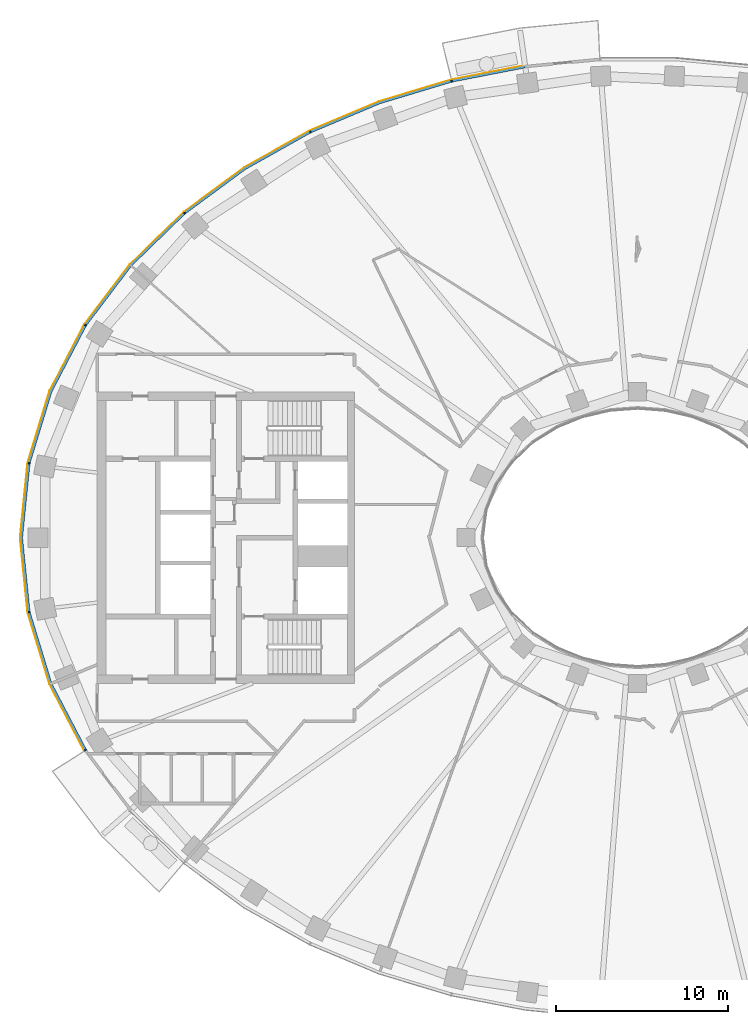
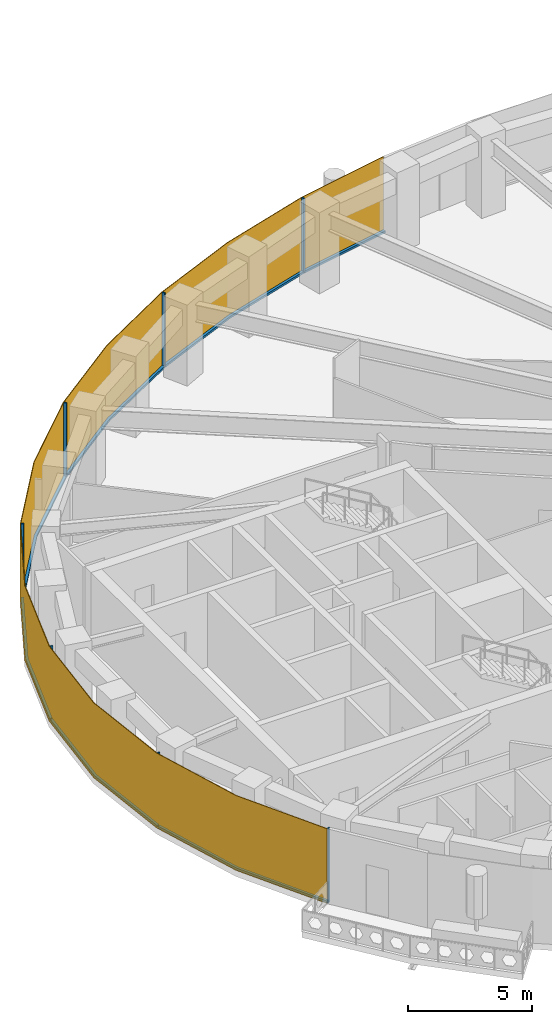
# One storey, part 11 of 16: 14 members, 1 curtain wall.
"""IFC4 building model written with IfcOpenShell, lengths in metres."""

import ifcopenshell
import ifcopenshell.guid

model = None  # the IFC model being written
_history = None  # IfcOwnerHistory: only IFC2X3 demands one
_inside = {}  # id of a spatial element -> (the spatial element, [elements in it])
_under = {}  # id of a project, library or spatial element -> (it, [spatial elements below it])
_declared = {}  # id of a project -> (the project, [libraries it declares])
_typed = {}  # id of a type object -> (the type object, [elements of that type])
_made_of = {}  # id of a material, layer set ... -> (it, [elements and type objects made of it])


def new_model(schema):
    """Start an empty IFC model of exactly this schema.

    Asked for "IFC4X3", IfcOpenShell would pick the latest addendum, in which some entities
    have other attributes; the version numbers below select the first issue.
    IFC2X3 requires an IfcOwnerHistory on every rooted entity: one is made here for all.
    """
    global model, _history
    if schema == "IFC4X3":
        model = ifcopenshell.file(schema_version=(4, 3, 0, 0))
    else:
        model = ifcopenshell.file(schema=schema)
    _inside.clear()
    _under.clear()
    _declared.clear()
    _typed.clear()
    _made_of.clear()
    _history = None
    if model.schema == "IFC2X3":
        org = make("IfcOrganization", Name="unknown")
        user = make(
            "IfcPersonAndOrganization",
            ThePerson=make("IfcPerson", FamilyName="unknown"),
            TheOrganization=org,
        )
        app = make(
            "IfcApplication",
            ApplicationDeveloper=org,
            Version="unknown",
            ApplicationFullName="unknown",
            ApplicationIdentifier="unknown",
        )
        _history = make(
            "IfcOwnerHistory",
            OwningUser=user,
            OwningApplication=app,
            ChangeAction="ADDED",
            CreationDate=0,
        )
    return model


def make(cls, **values):
    """One entity of the class cls with the attributes given. An attribute that is None is left unset."""
    return model.create_entity(
        cls, **{name: value for name, value in values.items() if value is not None}
    )


def rooted(cls, **values):
    """An entity with a GlobalId (a new one), such as an element, a storey or a relation."""
    return make(cls, GlobalId=ifcopenshell.guid.new(), OwnerHistory=_history, **values)


def si_unit(unit_type, name, prefix=None):
    """IfcSIUnit, for example si_unit("LENGTHUNIT", "METRE", prefix="MILLI")."""
    return make("IfcSIUnit", UnitType=unit_type, Prefix=prefix, Name=name)


def assignment(units):
    """IfcUnitAssignment: the units of a project."""
    return None if units is None else make("IfcUnitAssignment", Units=units)


def point(xyz):
    """IfcCartesianPoint."""
    return None if xyz is None else make("IfcCartesianPoint", Coordinates=xyz)


def direction(xyz):
    """IfcDirection."""
    return None if xyz is None else make("IfcDirection", DirectionRatios=xyz)


def frame(location, z_axis=None, x_axis=None):
    """IfcAxis2Placement3D, a coordinate frame: its origin and axes. An axis left out is left unset."""
    return make(
        "IfcAxis2Placement3D",
        Location=point(location),
        Axis=direction(z_axis),
        RefDirection=direction(x_axis),
    )


def frame_2d(location, x_axis=None):
    """IfcAxis2Placement2D, a coordinate frame in the plane: its origin and x axis."""
    return make(
        "IfcAxis2Placement2D", Location=point(location), RefDirection=direction(x_axis)
    )


def origin():
    """The frame at (0, 0, 0) with its axes left unset."""
    return frame((0.0, 0.0, 0.0))


def origin_2d():
    """The frame at (0, 0) in the plane with its x axis left unset."""
    return frame_2d((0.0, 0.0))


def place(relative_to, where):
    """IfcLocalPlacement: puts the frame where relative to a parent placement (None: the world)."""
    return make(
        "IfcLocalPlacement", PlacementRelTo=relative_to, RelativePlacement=where
    )


def context(
    kind, dimensions, precision=None, world=None, true_north=None, identifier=None
):
    """IfcGeometricRepresentationContext, for example the 3D "Model" context."""
    return make(
        "IfcGeometricRepresentationContext",
        ContextIdentifier=identifier,
        ContextType=kind,
        CoordinateSpaceDimension=dimensions,
        Precision=precision,
        WorldCoordinateSystem=world,
        TrueNorth=true_north,
    )


def subcontext(parent, identifier, kind, view, scale=None):
    """IfcGeometricRepresentationSubContext, for example "Body" below "Model"."""
    return make(
        "IfcGeometricRepresentationSubContext",
        ContextIdentifier=identifier,
        ContextType=kind,
        ParentContext=parent,
        TargetScale=scale,
        TargetView=view,
    )


def project(units=None, contexts=None):
    """IfcProject with its units and contexts."""
    return rooted(
        "IfcProject",
        Name="project",
        RepresentationContexts=contexts,
        UnitsInContext=assignment(units),
    )


def spatial(cls, under=None, at=None, **own):
    """A site, building, storey or space (cls), placed at a placement, below another one or the project."""
    s = rooted(cls, ObjectPlacement=at, **own)
    if under is not None:
        _under.setdefault(under.id(), (under, []))[1].append(s)
    return s


def polyline(points):
    """IfcPolyline through the points."""
    return make("IfcPolyline", Points=[point(p) for p in points])


def profile(cls, at=None, kind="AREA", **sizes):
    """A parametric profile (cls). Its sizes go by their IFC names, for example OverallWidth=200.0."""
    return make(cls, ProfileType=kind, Position=at, **sizes)


def rectangle(**sizes):
    """IfcRectangleProfileDef."""
    return profile("IfcRectangleProfileDef", **sizes)


def outline(outer, holes=None, kind="AREA"):
    """IfcArbitraryClosedProfileDef: a profile drawn as a closed curve; with holes, ...WithVoids."""
    if holes is None:
        return make("IfcArbitraryClosedProfileDef", ProfileType=kind, OuterCurve=outer)
    return make(
        "IfcArbitraryProfileDefWithVoids",
        ProfileType=kind,
        OuterCurve=outer,
        InnerCurves=holes,
    )


def extrude(swept, where, along, depth):
    """IfcExtrudedAreaSolid: the profile swept, set in the frame where, extruded along a direction by depth."""
    return make(
        "IfcExtrudedAreaSolid",
        SweptArea=swept,
        Position=where,
        ExtrudedDirection=direction(along),
        Depth=depth,
    )


def shape(context_of_items, identifier, shape_type, items):
    """IfcShapeRepresentation: the items that make up one representation, for example the "Body"."""
    return make(
        "IfcShapeRepresentation",
        ContextOfItems=context_of_items,
        RepresentationIdentifier=identifier,
        RepresentationType=shape_type,
        Items=items,
    )


def material(Name=None, Category=None):
    """IfcMaterial."""
    return make("IfcMaterial", Name=Name, Category=Category)


def layer(
    of_material, thickness, ventilated=None, Name=None, Category=None, Priority=None
):
    """IfcMaterialLayer: one layer of a wall or slab, of a material (None: an air gap)."""
    return make(
        "IfcMaterialLayer",
        Material=of_material,
        LayerThickness=thickness,
        IsVentilated=ventilated,
        Name=Name,
        Category=Category,
        Priority=Priority,
    )


def layer_set(layers, Name=None):
    """IfcMaterialLayerSet."""
    return make("IfcMaterialLayerSet", MaterialLayers=layers, LayerSetName=Name)


def material_profile(
    of_material, cross_section, Name=None, Category=None, Priority=None
):
    """IfcMaterialProfile: a cross section and its material."""
    return make(
        "IfcMaterialProfile",
        Name=Name,
        Material=of_material,
        Profile=cross_section,
        Priority=Priority,
        Category=Category,
    )


def profile_set(profiles, Name=None, composite=None):
    """IfcMaterialProfileSet."""
    return make(
        "IfcMaterialProfileSet",
        Name=Name,
        MaterialProfiles=profiles,
        CompositeProfile=composite,
    )


def made_of(thing, what):
    """Note that an element or type object is made of a material, layer set ...; save() writes the relation."""
    if what is not None:
        _made_of.setdefault(what.id(), (what, []))[1].append(thing)
    return thing


def type_object(cls, material=None, **own):
    """A type object (cls), such as IfcWallType, which elements share."""
    return made_of(rooted(cls, **own), material)


def element(
    cls,
    number,
    at=None,
    inside=None,
    cuts=None,
    type_object=None,
    material=None,
    context=None,
    identifier="Body",
    shape_type=None,
    held_by="IfcProductDefinitionShape",
    body=None,
    shapes=None,
    **own,
):
    """One element of the class cls, such as IfcWall. Its Tag is "e" and its number.

    at: its placement. inside: the storey or other place that contains it. cuts: it is an
    opening in that element (IfcRelVoidsElement). A single representation is given by context,
    identifier, shape_type and body (its items); several are given by shapes. held_by: the class
    of the entity that holds the representations. save() writes the other relations.
    """
    e = rooted(cls, Tag="e%d" % number, ObjectPlacement=at, **own)
    if body is not None:
        shapes = [shape(context, identifier, shape_type, body)]
    if shapes is not None:
        e.Representation = make(held_by, Representations=shapes)
    if inside is not None:
        _inside.setdefault(inside.id(), (inside, []))[1].append(e)
    if cuts is not None:
        rooted(
            "IfcRelVoidsElement", RelatingBuildingElement=cuts, RelatedOpeningElement=e
        )
    if type_object is not None:
        _typed.setdefault(type_object.id(), (type_object, []))[1].append(e)
    return made_of(e, material)


def aggregate(whole, parts):
    """IfcRelAggregates: a whole, such as a stair, and the parts it consists of."""
    return rooted("IfcRelAggregates", RelatingObject=whole, RelatedObjects=parts)


def save(model, path):
    """Write the relations noted so far, then the file.

    IfcRelAggregates (storeys below a building ...), IfcRelContainedInSpatialStructure (elements
    in a storey), IfcRelDefinesByType, IfcRelAssociatesMaterial and IfcRelDeclares: one each for
    every whole, place, type object, material and project.
    """
    for whole, parts in _under.values():
        aggregate(whole, parts)
    for where, things in _inside.values():
        rooted(
            "IfcRelContainedInSpatialStructure",
            RelatedElements=things,
            RelatingStructure=where,
        )
    for kind, things in _typed.values():
        rooted("IfcRelDefinesByType", RelatedObjects=things, RelatingType=kind)
    for what, things in _made_of.values():
        rooted("IfcRelAssociatesMaterial", RelatedObjects=things, RelatingMaterial=what)
    for by, libraries in _declared.values():
        rooted("IfcRelDeclares", RelatingContext=by, RelatedDefinitions=libraries)
    model.write(path)


model = new_model("IFC4")

# Units and contexts
model_context = context("Model", 3, precision=1e-05, world=origin(), true_north=direction((0.0, 1.0)))
body_context = subcontext(model_context, "Body", "Model", "MODEL_VIEW")
ifc_project = project(units=[si_unit("LENGTHUNIT", "METRE"), si_unit("AREAUNIT", "SQUARE_METRE"), si_unit("VOLUMEUNIT", "CUBIC_METRE"), si_unit("PLANEANGLEUNIT", "RADIAN"), si_unit("MASSUNIT", "GRAM", prefix="KILO")], contexts=[model_context])

# Member
ifc_material_1 = material(Name="Aluminium 6063-T6 black anodised", Category="aluminium")
ifc_material_profile = material_profile(ifc_material_1, rectangle(XDim=0.1201171875, YDim=0.06005859375, at=origin_2d()), Name="120x60")
ifc_profile_set = profile_set([ifc_material_profile], Name="Aluminium 6063-T6 black anodised")
member_type_1 = type_object("IfcMemberType", Name="ENV-MULLION-A-120", PredefinedType="MULLION", material=ifc_profile_set)
site_placement = place(None, origin())
building_placement = place(site_placement, origin())
storey_placement = place(building_placement, frame((0.0, 0.0, 186.0)))
member_1_placement = place(storey_placement, frame((-10.84326171875, 26.60498046875, 0.0), z_axis=(0.0, 0.0, 1.0), x_axis=(0.239799081534, -0.970822538106, 0.0)))
member_1 = element("IfcMember", 1, at=member_1_placement, type_object=member_type_1, Name="Mullion A radial 15", PredefinedType="MULLION", context=body_context, shape_type="SweptSolid", body=[
    extrude(rectangle(XDim=0.1201171875, YDim=0.06005859375, at=origin_2d()), origin(), (0.0, 0.0, 1.0), 3.699951171875),
])

member_2_placement = place(storey_placement, frame((-19.06787109375, 23.6474609375, 0.0), z_axis=(0.0, 0.0, 1.0), x_axis=(0.439237769837, -0.898370848563, 0.0)))
member_2 = element("IfcMember", 2, at=member_2_placement, type_object=member_type_1, Name="Mullion A radial 17", PredefinedType="MULLION", context=body_context, shape_type="SweptSolid", body=[
    extrude(rectangle(XDim=0.1201171875, YDim=0.06005859375, at=origin_2d()), origin(), (0.0, 0.0, 1.0), 3.699951171875),
])

member_3_placement = place(storey_placement, frame((-26.403564453125, 18.9130859375, 0.0), z_axis=(0.0, 0.0, 1.0), x_axis=(0.646451313783, -0.762955240435, 0.0)))
member_3 = element("IfcMember", 3, at=member_3_placement, type_object=member_type_1, Name="Mullion A radial 19", PredefinedType="MULLION", context=body_context, shape_type="SweptSolid", body=[
    extrude(rectangle(XDim=0.1201171875, YDim=0.06005859375, at=origin_2d()), origin(), (0.0, 0.0, 1.0), 3.699951171875),
])

member_4_placement = place(storey_placement, frame((-32.177490234375, 12.385498046875, 0.0), z_axis=(0.0, 0.0, 1.0), x_axis=(0.844829880882, -0.53503501976, 0.0)))
member_4 = element("IfcMember", 4, at=member_4_placement, type_object=member_type_1, Name="Mullion A radial 21", PredefinedType="MULLION", context=body_context, shape_type="SweptSolid", body=[
    extrude(rectangle(XDim=0.1201171875, YDim=0.06005859375, at=origin_2d()), origin(), (0.0, 0.0, 1.0), 3.699951171875),
])

member_5_placement = place(storey_placement, frame((-35.470947265625, 4.340576171875, 0.0), z_axis=(0.0, 0.0, 1.0), x_axis=(0.980379083141, -0.19712141776, 0.0)))
member_5 = element("IfcMember", 5, at=member_5_placement, type_object=member_type_1, Name="Mullion A radial 23", PredefinedType="MULLION", context=body_context, shape_type="SweptSolid", body=[
    extrude(rectangle(XDim=0.1201171875, YDim=0.06005859375, at=origin_2d()), origin(), (0.0, 0.0, 1.0), 3.699951171875),
])

member_6_placement = place(storey_placement, frame((-35.470947265625, -4.340576171875, 0.0), z_axis=(0.0, 0.0, 1.0), x_axis=(0.980379083141, 0.19712141776, 0.0)))
member_6 = element("IfcMember", 6, at=member_6_placement, type_object=member_type_1, Name="Mullion A radial 25", PredefinedType="MULLION", context=body_context, shape_type="SweptSolid", body=[
    extrude(rectangle(XDim=0.1201171875, YDim=0.06005859375, at=origin_2d()), origin(), (0.0, 0.0, 1.0), 3.699951171875),
])

member_7_placement = place(storey_placement, frame((-32.177490234375, -12.385498046875, 0.0), z_axis=(0.0, 0.0, 1.0), x_axis=(0.844829880882, 0.53503501976, 0.0)))
member_7 = element("IfcMember", 7, at=member_7_placement, type_object=member_type_1, Name="Mullion A radial 27", PredefinedType="MULLION", context=body_context, shape_type="SweptSolid", body=[
    extrude(rectangle(XDim=0.1201171875, YDim=0.06005859375, at=origin_2d()), origin(), (0.0, 0.0, 1.0), 3.699951171875),
])

ifc_material_2 = material(Name="Aluminium 6063-T6 black anodised", Category="aluminium")
member_type_2 = type_object("IfcMemberType", Name="ENV-TRANSOM-A", PredefinedType="USERDEFINED", material=ifc_material_2)
member_8_placement = place(storey_placement, origin())
member_8 = element("IfcMember", 8, at=member_8_placement, type_object=member_type_2, Name="Transom A radial 14-15", ObjectType="TRANSOM", PredefinedType="USERDEFINED", context=body_context, shape_type="SweptSolid", body=[
    extrude(outline(polyline([(-6.57470703125, 27.49560546875), (-10.830078125, 26.66845703125), (-10.80126953125, 26.552001953125), (-6.5576171875, 27.376708984375), (-6.57470703125, 27.49560546875)])), origin(), (0.0, 0.0, 1.0), 0.10009765625),
])

member_9_placement = place(storey_placement, origin())
member_9 = element("IfcMember", 9, at=member_9_placement, type_object=member_type_2, Name="Transom A radial 15-17", ObjectType="TRANSOM", PredefinedType="USERDEFINED", context=body_context, shape_type="SweptSolid", body=[
    extrude(outline(polyline([(-10.884521484375, 26.655029296875), (-15.054443359375, 25.400146484375), (-19.068359375, 23.71240234375), (-19.015380859375, 23.604248046875), (-15.013916015625, 25.287109375), (-10.855712890625, 26.53857421875), (-10.884521484375, 26.655029296875)])), origin(), (0.0, 0.0, 1.0), 0.10009765625),
])

member_10_placement = place(storey_placement, origin())
member_10 = element("IfcMember", 10, at=member_10_placement, type_object=member_type_2, Name="Transom A radial 17-19", ObjectType="TRANSOM", PredefinedType="USERDEFINED", context=body_context, shape_type="SweptSolid", body=[
    extrude(outline(polyline([(-19.11865234375, 23.687744140625), (-22.9150390625, 21.556884765625), (-26.419921875, 18.975341796875), (-26.342041015625, 18.883544921875), (-22.85009765625, 21.455810546875), (-19.06591796875, 23.57958984375), (-19.11865234375, 23.687744140625)])), origin(), (0.0, 0.0, 1.0), 0.10009765625),
])

member_11_placement = place(storey_placement, origin())
member_11 = element("IfcMember", 11, at=member_11_placement, type_object=member_type_2, Name="Transom A radial 19-21", ObjectType="TRANSOM", PredefinedType="USERDEFINED", context=body_context, shape_type="SweptSolid", body=[
    extrude(outline(polyline([(-26.46240234375, 18.939208984375), (-29.58349609375, 15.906982421875), (-32.211181640625, 12.43994140625), (-32.109375, 12.37548828125), (-29.493408203125, 15.8271484375), (-26.384765625, 18.847412109375), (-26.46240234375, 18.939208984375)])), origin(), (0.0, 0.0, 1.0), 0.10009765625),
])

member_12_placement = place(storey_placement, origin())
member_12 = element("IfcMember", 12, at=member_12_placement, type_object=member_type_2, Name="Transom A radial 21-23", ObjectType="TRANSOM", PredefinedType="USERDEFINED", context=body_context, shape_type="SweptSolid", body=[
    extrude(outline(polyline([(-32.240966796875, 12.392578125), (-34.251220703125, 8.53662109375), (-35.521484375, 4.379150390625), (-35.4033203125, 4.355224609375), (-34.139892578125, 8.490966796875), (-32.139404296875, 12.328369140625), (-32.240966796875, 12.392578125)])), origin(), (0.0, 0.0, 1.0), 0.10009765625),
])

member_13_placement = place(storey_placement, origin())
member_13 = element("IfcMember", 13, at=member_13_placement, type_object=member_type_2, Name="Transom A radial 23-25", ObjectType="TRANSOM", PredefinedType="USERDEFINED", context=body_context, shape_type="SweptSolid", body=[
    extrude(outline(polyline([(-35.532470703125, 4.324462890625), (-35.9677734375, 0.0), (-35.532470703125, -4.324462890625), (-35.414306640625, -4.30078125), (-35.84716796875, 0.0), (-35.414306640625, 4.30078125), (-35.532470703125, 4.324462890625)])), origin(), (0.0, 0.0, 1.0), 0.10009765625),
])

member_14_placement = place(storey_placement, origin())
member_14 = element("IfcMember", 14, at=member_14_placement, type_object=member_type_2, Name="Transom A radial 25-27", ObjectType="TRANSOM", PredefinedType="USERDEFINED", context=body_context, shape_type="SweptSolid", body=[
    extrude(outline(polyline([(-35.521484375, -4.379150390625), (-34.251220703125, -8.53662109375), (-32.240966796875, -12.392578125), (-32.139404296875, -12.328369140625), (-34.139892578125, -8.490966796875), (-35.4033203125, -4.355224609375), (-35.521484375, -4.379150390625)])), origin(), (0.0, 0.0, 1.0), 0.10009765625),
])

# Site, building, storey
site = spatial("IfcSite", under=ifc_project, at=site_placement, CompositionType="ELEMENT")
building = spatial("IfcBuilding", under=site, at=building_placement, Name="Noorbagh Ring Tower", CompositionType="ELEMENT")
storey = spatial("IfcBuildingStorey", under=building, at=storey_placement, Name="L43", CompositionType="ELEMENT", Elevation=186.0)

# Curtain wall
ifc_material_3 = material(Name="Glass dark tinted laminated", Category="glass")
ifc_layer = layer(ifc_material_3, 0.031982421875)
ifc_layer_set = layer_set([ifc_layer], Name="Glass dark tinted laminated")
curtain_wall_type = type_object("IfcCurtainWallType", Name="ENV-CW-A", PredefinedType="NOTDEFINED", material=ifc_layer_set)
curtain_wall_placement = place(storey_placement, origin())
curtain_wall = element("IfcCurtainWall", 15, at=curtain_wall_placement, inside=storey, type_object=curtain_wall_type, Name="Curtain wall A R14", PredefinedType="NOTDEFINED", context=body_context, shape_type="SweptSolid", body=[
    extrude(outline(polyline([(-6.579345703125, 27.52734375), (-10.865234375, 26.6943359375), (-15.065185546875, 25.430419921875), (-19.108154296875, 23.730224609375), (-22.9326171875, 21.583740234375), (-26.463134765625, 18.9833984375), (-29.607666015625, 15.927978515625), (-32.255126953125, 12.434814453125), (-34.281005859375, 8.548828125), (-35.561279296875, 4.358642578125), (-36.0, 0.0), (-35.561279296875, -4.358642578125), (-34.281005859375, -8.548828125), (-32.264404296875, -12.4169921875), (-32.2373046875, -12.39990234375), (-34.251220703125, -8.53662109375), (-35.529541015625, -4.352294921875), (-35.9677734375, 0.0), (-35.529541015625, 4.352294921875), (-34.251220703125, 8.53662109375), (-32.22802734375, 12.41748046875), (-29.58349609375, 15.906982421875), (-26.4423828125, 18.958740234375), (-22.9150390625, 21.556884765625), (-19.093994140625, 23.701416015625), (-15.054443359375, 25.400146484375), (-10.857666015625, 26.6630859375), (-6.57470703125, 27.49560546875), (-6.579345703125, 27.52734375)])), origin(), (0.0, 0.0, 1.0), 3.699951171875),
])

aggregate(curtain_wall, [member_1, member_2, member_3, member_4, member_5, member_6, member_7, member_8, member_9, member_10, member_11, member_12, member_13, member_14])

save(model, "model.ifc")
